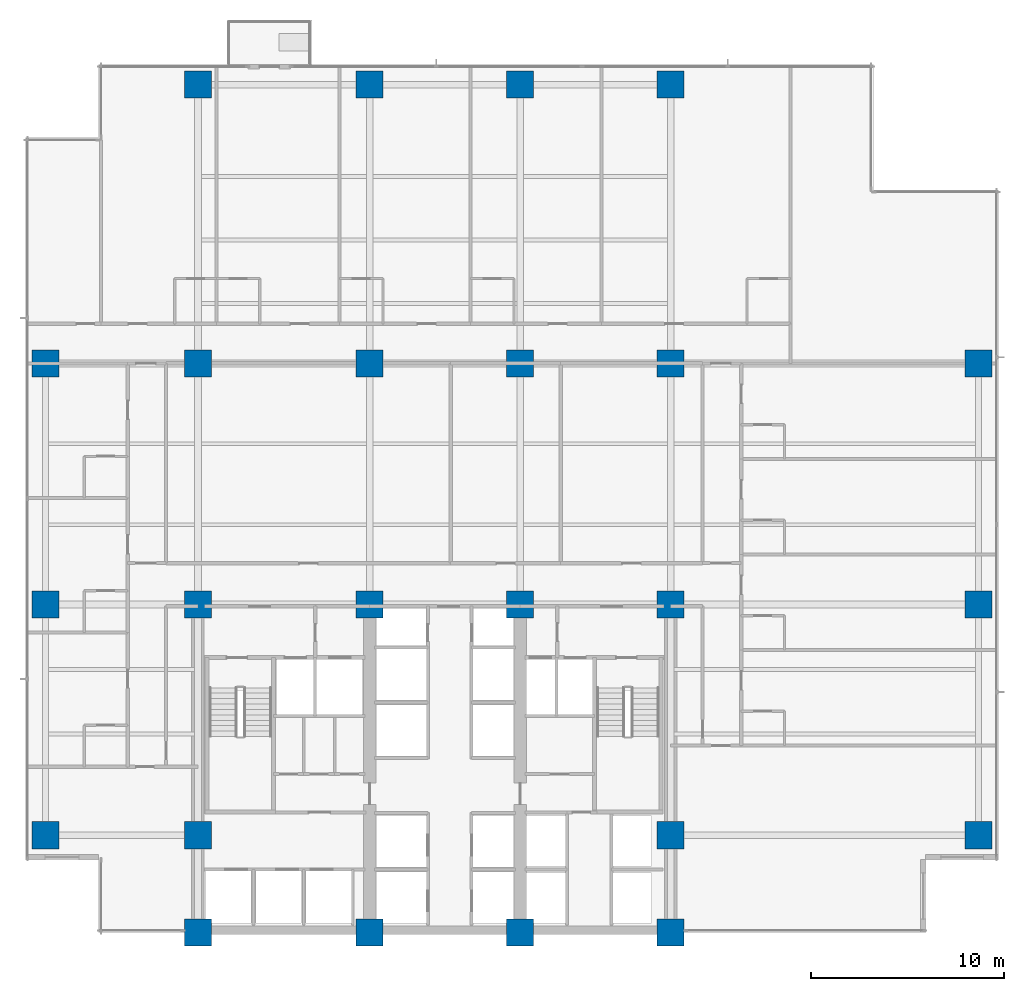
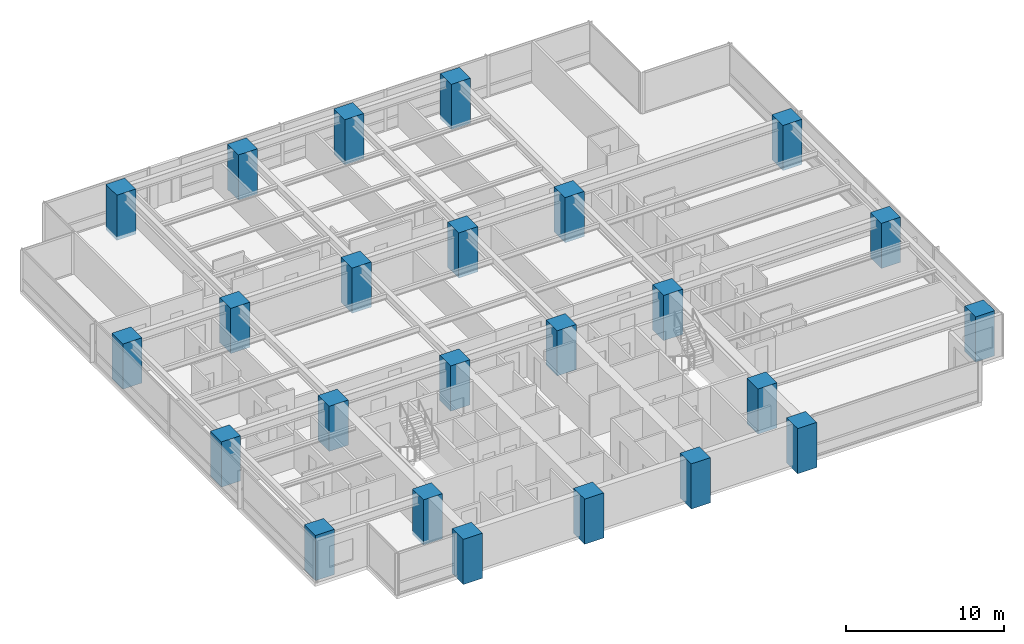
# One storey, part 1 of 17: 24 columns.
"""IFC4 building model written with IfcOpenShell, lengths in metres."""

import ifcopenshell
import ifcopenshell.guid

model = None  # the IFC model being written
_history = None  # IfcOwnerHistory: only IFC2X3 demands one
_inside = {}  # id of a spatial element -> (the spatial element, [elements in it])
_under = {}  # id of a project, library or spatial element -> (it, [spatial elements below it])
_declared = {}  # id of a project -> (the project, [libraries it declares])
_typed = {}  # id of a type object -> (the type object, [elements of that type])
_made_of = {}  # id of a material, layer set ... -> (it, [elements and type objects made of it])


def new_model(schema):
    """Start an empty IFC model of exactly this schema.

    Asked for "IFC4X3", IfcOpenShell would pick the latest addendum, in which some entities
    have other attributes; the version numbers below select the first issue.
    IFC2X3 requires an IfcOwnerHistory on every rooted entity: one is made here for all.
    """
    global model, _history
    if schema == "IFC4X3":
        model = ifcopenshell.file(schema_version=(4, 3, 0, 0))
    else:
        model = ifcopenshell.file(schema=schema)
    _inside.clear()
    _under.clear()
    _declared.clear()
    _typed.clear()
    _made_of.clear()
    _history = None
    if model.schema == "IFC2X3":
        org = make("IfcOrganization", Name="unknown")
        user = make(
            "IfcPersonAndOrganization",
            ThePerson=make("IfcPerson", FamilyName="unknown"),
            TheOrganization=org,
        )
        app = make(
            "IfcApplication",
            ApplicationDeveloper=org,
            Version="unknown",
            ApplicationFullName="unknown",
            ApplicationIdentifier="unknown",
        )
        _history = make(
            "IfcOwnerHistory",
            OwningUser=user,
            OwningApplication=app,
            ChangeAction="ADDED",
            CreationDate=0,
        )
    return model


def make(cls, **values):
    """One entity of the class cls with the attributes given. An attribute that is None is left unset."""
    return model.create_entity(
        cls, **{name: value for name, value in values.items() if value is not None}
    )


def rooted(cls, **values):
    """An entity with a GlobalId (a new one), such as an element, a storey or a relation."""
    return make(cls, GlobalId=ifcopenshell.guid.new(), OwnerHistory=_history, **values)


def si_unit(unit_type, name, prefix=None):
    """IfcSIUnit, for example si_unit("LENGTHUNIT", "METRE", prefix="MILLI")."""
    return make("IfcSIUnit", UnitType=unit_type, Prefix=prefix, Name=name)


def assignment(units):
    """IfcUnitAssignment: the units of a project."""
    return None if units is None else make("IfcUnitAssignment", Units=units)


def point(xyz):
    """IfcCartesianPoint."""
    return None if xyz is None else make("IfcCartesianPoint", Coordinates=xyz)


def direction(xyz):
    """IfcDirection."""
    return None if xyz is None else make("IfcDirection", DirectionRatios=xyz)


def frame(location, z_axis=None, x_axis=None):
    """IfcAxis2Placement3D, a coordinate frame: its origin and axes. An axis left out is left unset."""
    return make(
        "IfcAxis2Placement3D",
        Location=point(location),
        Axis=direction(z_axis),
        RefDirection=direction(x_axis),
    )


def frame_2d(location, x_axis=None):
    """IfcAxis2Placement2D, a coordinate frame in the plane: its origin and x axis."""
    return make(
        "IfcAxis2Placement2D", Location=point(location), RefDirection=direction(x_axis)
    )


def origin():
    """The frame at (0, 0, 0) with its axes left unset."""
    return frame((0.0, 0.0, 0.0))


def origin_2d():
    """The frame at (0, 0) in the plane with its x axis left unset."""
    return frame_2d((0.0, 0.0))


def place(relative_to, where):
    """IfcLocalPlacement: puts the frame where relative to a parent placement (None: the world)."""
    return make(
        "IfcLocalPlacement", PlacementRelTo=relative_to, RelativePlacement=where
    )


def context(
    kind, dimensions, precision=None, world=None, true_north=None, identifier=None
):
    """IfcGeometricRepresentationContext, for example the 3D "Model" context."""
    return make(
        "IfcGeometricRepresentationContext",
        ContextIdentifier=identifier,
        ContextType=kind,
        CoordinateSpaceDimension=dimensions,
        Precision=precision,
        WorldCoordinateSystem=world,
        TrueNorth=true_north,
    )


def subcontext(parent, identifier, kind, view, scale=None):
    """IfcGeometricRepresentationSubContext, for example "Body" below "Model"."""
    return make(
        "IfcGeometricRepresentationSubContext",
        ContextIdentifier=identifier,
        ContextType=kind,
        ParentContext=parent,
        TargetScale=scale,
        TargetView=view,
    )


def project(units=None, contexts=None):
    """IfcProject with its units and contexts."""
    return rooted(
        "IfcProject",
        Name="project",
        RepresentationContexts=contexts,
        UnitsInContext=assignment(units),
    )


def spatial(cls, under=None, at=None, **own):
    """A site, building, storey or space (cls), placed at a placement, below another one or the project."""
    s = rooted(cls, ObjectPlacement=at, **own)
    if under is not None:
        _under.setdefault(under.id(), (under, []))[1].append(s)
    return s


def profile(cls, at=None, kind="AREA", **sizes):
    """A parametric profile (cls). Its sizes go by their IFC names, for example OverallWidth=200.0."""
    return make(cls, ProfileType=kind, Position=at, **sizes)


def rectangle(**sizes):
    """IfcRectangleProfileDef."""
    return profile("IfcRectangleProfileDef", **sizes)


def extrude(swept, where, along, depth):
    """IfcExtrudedAreaSolid: the profile swept, set in the frame where, extruded along a direction by depth."""
    return make(
        "IfcExtrudedAreaSolid",
        SweptArea=swept,
        Position=where,
        ExtrudedDirection=direction(along),
        Depth=depth,
    )


def shape(context_of_items, identifier, shape_type, items):
    """IfcShapeRepresentation: the items that make up one representation, for example the "Body"."""
    return make(
        "IfcShapeRepresentation",
        ContextOfItems=context_of_items,
        RepresentationIdentifier=identifier,
        RepresentationType=shape_type,
        Items=items,
    )


def material(Name=None, Category=None):
    """IfcMaterial."""
    return make("IfcMaterial", Name=Name, Category=Category)


def material_profile(
    of_material, cross_section, Name=None, Category=None, Priority=None
):
    """IfcMaterialProfile: a cross section and its material."""
    return make(
        "IfcMaterialProfile",
        Name=Name,
        Material=of_material,
        Profile=cross_section,
        Priority=Priority,
        Category=Category,
    )


def profile_set(profiles, Name=None, composite=None):
    """IfcMaterialProfileSet."""
    return make(
        "IfcMaterialProfileSet",
        Name=Name,
        MaterialProfiles=profiles,
        CompositeProfile=composite,
    )


def made_of(thing, what):
    """Note that an element or type object is made of a material, layer set ...; save() writes the relation."""
    if what is not None:
        _made_of.setdefault(what.id(), (what, []))[1].append(thing)
    return thing


def type_object(cls, material=None, **own):
    """A type object (cls), such as IfcWallType, which elements share."""
    return made_of(rooted(cls, **own), material)


def element(
    cls,
    number,
    at=None,
    inside=None,
    cuts=None,
    type_object=None,
    material=None,
    context=None,
    identifier="Body",
    shape_type=None,
    held_by="IfcProductDefinitionShape",
    body=None,
    shapes=None,
    **own,
):
    """One element of the class cls, such as IfcWall. Its Tag is "e" and its number.

    at: its placement. inside: the storey or other place that contains it. cuts: it is an
    opening in that element (IfcRelVoidsElement). A single representation is given by context,
    identifier, shape_type and body (its items); several are given by shapes. held_by: the class
    of the entity that holds the representations. save() writes the other relations.
    """
    e = rooted(cls, Tag="e%d" % number, ObjectPlacement=at, **own)
    if body is not None:
        shapes = [shape(context, identifier, shape_type, body)]
    if shapes is not None:
        e.Representation = make(held_by, Representations=shapes)
    if inside is not None:
        _inside.setdefault(inside.id(), (inside, []))[1].append(e)
    if cuts is not None:
        rooted(
            "IfcRelVoidsElement", RelatingBuildingElement=cuts, RelatedOpeningElement=e
        )
    if type_object is not None:
        _typed.setdefault(type_object.id(), (type_object, []))[1].append(e)
    return made_of(e, material)


def aggregate(whole, parts):
    """IfcRelAggregates: a whole, such as a stair, and the parts it consists of."""
    return rooted("IfcRelAggregates", RelatingObject=whole, RelatedObjects=parts)


def save(model, path):
    """Write the relations noted so far, then the file.

    IfcRelAggregates (storeys below a building ...), IfcRelContainedInSpatialStructure (elements
    in a storey), IfcRelDefinesByType, IfcRelAssociatesMaterial and IfcRelDeclares: one each for
    every whole, place, type object, material and project.
    """
    for whole, parts in _under.values():
        aggregate(whole, parts)
    for where, things in _inside.values():
        rooted(
            "IfcRelContainedInSpatialStructure",
            RelatedElements=things,
            RelatingStructure=where,
        )
    for kind, things in _typed.values():
        rooted("IfcRelDefinesByType", RelatedObjects=things, RelatingType=kind)
    for what, things in _made_of.values():
        rooted("IfcRelAssociatesMaterial", RelatedObjects=things, RelatingMaterial=what)
    for by, libraries in _declared.values():
        rooted("IfcRelDeclares", RelatingContext=by, RelatedDefinitions=libraries)
    model.write(path)


model = new_model("IFC4")

# Units and contexts
model_context = context("Model", 3, precision=1e-05, world=origin(), true_north=direction((0.0, 1.0)))
body_context = subcontext(model_context, "Body", "Model", "MODEL_VIEW")
ifc_project = project(units=[si_unit("LENGTHUNIT", "METRE"), si_unit("AREAUNIT", "SQUARE_METRE"), si_unit("VOLUMEUNIT", "CUBIC_METRE"), si_unit("PLANEANGLEUNIT", "RADIAN"), si_unit("MASSUNIT", "GRAM", prefix="KILO")], contexts=[model_context])

# Site, building, storey
site_placement = place(None, origin())
site = spatial("IfcSite", under=ifc_project, at=site_placement, CompositionType="ELEMENT")
building_placement = place(site_placement, origin())
building = spatial("IfcBuilding", under=site, at=building_placement, Name="Qalmaran Belvedere Hotel", CompositionType="ELEMENT")
storey_placement = place(building_placement, frame((0.0, 0.0, 33.39990234375)))
storey = spatial("IfcBuildingStorey", under=building, at=storey_placement, Name="L07", CompositionType="ELEMENT", Elevation=33.39990234375)

# Columns
ifc_material = material(Name="Concrete C60/75", Category="concrete")
ifc_material_profile = material_profile(ifc_material, rectangle(XDim=1.39990234375, YDim=1.39990234375, at=origin_2d()), Name="CC1400X1400")
ifc_profile_set = profile_set([ifc_material_profile], Name="Concrete C60/75")
column_type = type_object("IfcColumnType", Name="COL-Z1-CC1400", PredefinedType="COLUMN", material=ifc_profile_set)
for number, where, z_axis, x_axis, name in (
    (1, (20.300048828125, 3.5, -0.27978515625), (0.0, 0.0, 1.0), (1.0, 0.0, 0.0), "L07 Column C4B"),
    (2, (29.199951171875, 3.5, -0.27978515625), (0.0, 0.0, 1.0), (1.0, 0.0, 0.0), "L07 Column C5B"),
    (3, (37.0, 3.5, -0.27978515625), (0.0, 0.0, 1.0), (1.0, 0.0, 0.0), "L07 Column C6B"),
    (4, (44.800048828125, 3.5, -0.27978515625), (0.0, 0.0, 1.0), (1.0, 0.0, 0.0), "L07 Column C7B"),
    (5, (20.300048828125, 8.550048828125, -0.27978515625), (0.0, 0.0, 1.0), (1.0, 0.0, 0.0), "L07 Column C4C"),
    (6, (44.800048828125, 8.550048828125, -0.27978515625), (0.0, 0.0, 1.0), (1.0, 0.0, 0.0), "L07 Column C7C"),
    (7, (20.300048828125, 20.5, -0.27978515625), (0.0, 0.0, 1.0), (1.0, 0.0, 0.0), "L07 Column C4D"),
    (8, (29.199951171875, 20.5, -0.27978515625), (0.0, 0.0, 1.0), (1.0, 0.0, 0.0), "L07 Column C5D"),
    (9, (37.0, 20.5, -0.27978515625), (0.0, 0.0, 1.0), (1.0, 0.0, 0.0), "L07 Column C6D"),
    (10, (44.800048828125, 20.5, -0.27978515625), (0.0, 0.0, 1.0), (1.0, 0.0, 0.0), "L07 Column C7D"),
    (11, (20.300048828125, 33.0, -0.27978515625), (0.0, 0.0, 1.0), (1.0, 0.0, 0.0), "L07 Column C4F"),
    (12, (29.199951171875, 33.0, -0.27978515625), (0.0, 0.0, 1.0), (1.0, 0.0, 0.0), "L07 Column C5F"),
    (13, (37.0, 33.0, -0.27978515625), (0.0, 0.0, 1.0), (1.0, 0.0, 0.0), "L07 Column C6F"),
    (14, (44.800048828125, 33.0, -0.27978515625), (0.0, 0.0, 1.0), (1.0, 0.0, 0.0), "L07 Column C7F"),
    (15, (12.39990234375, 8.550048828125, -0.27978515625), (0.0, 0.0, 1.0), (1.0, 0.0, 0.0), "L07 Column CW1"),
    (16, (12.39990234375, 20.5, -0.27978515625), (0.0, 0.0, 1.0), (1.0, 0.0, 0.0), "L07 Column CW3"),
    (17, (12.39990234375, 33.0, -0.27978515625), (0.0, 0.0, 1.0), (1.0, 0.0, 0.0), "L07 Column CW4"),
    (18, (60.75, 8.550048828125, -0.27978515625), (0.0, 0.0, 1.0), (1.0, 0.0, 0.0), "L07 Column CE1"),
    (19, (60.75, 20.5, -0.27978515625), (0.0, 0.0, 1.0), (1.0, 0.0, 0.0), "L07 Column CE3"),
    (20, (60.75, 33.0, -0.27978515625), (0.0, 0.0, 1.0), (1.0, 0.0, 0.0), "L07 Column CE4"),
    (21, (20.300048828125, 47.449951171875, -0.27978515625), (0.0, 0.0, 1.0), (1.0, 0.0, 0.0), "L07 Column CN1"),
    (22, (29.199951171875, 47.449951171875, -0.27978515625), (0.0, 0.0, 1.0), (1.0, 0.0, 0.0), "L07 Column CN2"),
    (23, (37.0, 47.449951171875, -0.27978515625), (0.0, 0.0, 1.0), (1.0, 0.0, 0.0), "L07 Column CN3"),
    (24, (44.800048828125, 47.449951171875, -0.27978515625), (0.0, 0.0, 1.0), (1.0, 0.0, 0.0), "L07 Column CN4"),
):
    element("IfcColumn", number, at=place(storey_placement, frame(where, z_axis=z_axis, x_axis=x_axis)), inside=storey, type_object=column_type, Name=name, PredefinedType="COLUMN", context=body_context, shape_type="SweptSolid", body=[
        extrude(rectangle(XDim=1.39990234375, YDim=1.39990234375, at=origin_2d()), origin(), (0.0, 0.0, 1.0), 3.5),
    ])

save(model, "model.ifc")
